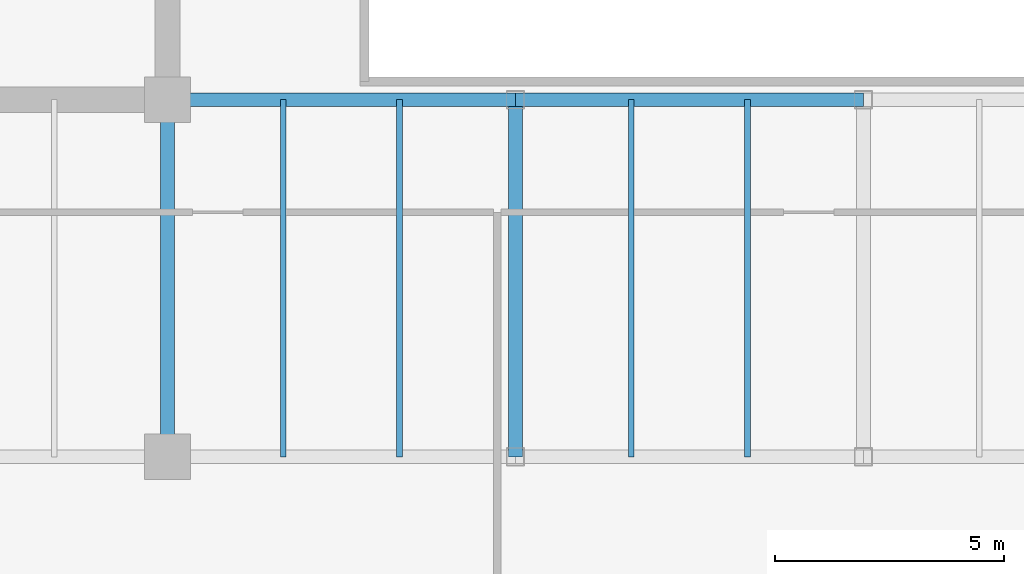
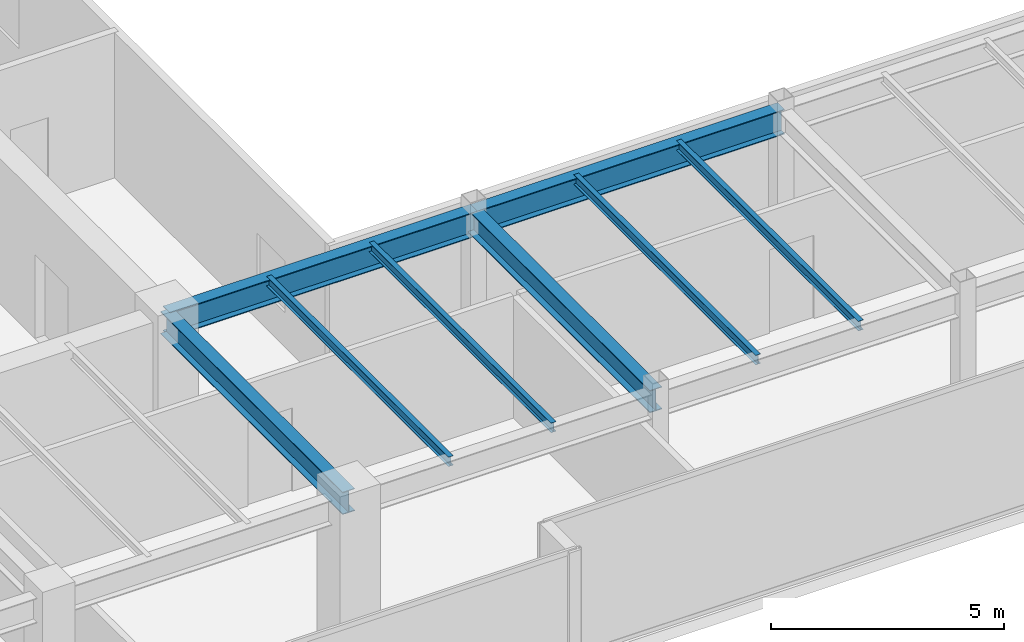
# One storey, part 8 of 33: 8 beams.
"""IFC4 building model written with IfcOpenShell, lengths in metres."""

from ifc_helpers import new_model, si_unit, direction, frame, origin, origin_2d, place, context, subcontext, project, spatial, i_section, extrude, source, transform, mapped, material, material_profile, profile_set, type_object, type_shapes, element, save


model = new_model("IFC4")

# Units and contexts
model_context = context("Model", 3, precision=1e-05, world=origin(), true_north=direction((0.0, 1.0)))
body_context = subcontext(model_context, "Body", "Model", "MODEL_VIEW")
ifc_project = project(units=[si_unit("LENGTHUNIT", "METRE"), si_unit("AREAUNIT", "SQUARE_METRE"), si_unit("VOLUMEUNIT", "CUBIC_METRE"), si_unit("PLANEANGLEUNIT", "RADIAN"), si_unit("MASSUNIT", "GRAM", prefix="KILO")], contexts=[model_context])

# Site, building, storey
site_placement = place(None, origin())
site = spatial("IfcSite", under=ifc_project, at=site_placement, CompositionType="ELEMENT")
building_placement = place(site_placement, origin())
building = spatial("IfcBuilding", under=site, at=building_placement, Name="Haelvirn Gate Laboratories", CompositionType="ELEMENT")
storey_placement = place(building_placement, frame((0.0, 0.0, 279.300048828125)))
storey = spatial("IfcBuildingStorey", under=building, at=storey_placement, Name="L67", CompositionType="ELEMENT", Elevation=279.300048828125)

# Beams
ifc_material = material(Name="Steel SM355", Category="steel")
ifc_material_profile_1 = material_profile(ifc_material, i_section(OverallWidth=0.300048828125, OverallDepth=0.587890625, WebThickness=0.011962890625, FlangeThickness=0.02001953125, at=origin_2d()), Name="H-588x300x12x20")
ifc_profile_set_1 = profile_set([ifc_material_profile_1], Name="Steel SM355")
beam_type_1 = type_object("IfcBeamType", Name="BM-G-588", PredefinedType="BEAM", material=ifc_profile_set_1)
shared_shape_1 = source(origin(), body_context, "Body", "SweptSolid", [
    extrude(i_section(OverallWidth=0.300048828125, OverallDepth=0.587890625, WebThickness=0.011962890625, FlangeThickness=0.02001953125, at=origin_2d()), origin(), (0.0, 0.0, 1.0), 7.800048828125),
])
type_shapes(beam_type_1, [shared_shape_1])
for number, where, z_axis, x_axis, name in (
    (1, (22.199951171875, 7.0, 3.505859375), (0.0, 1.0, 0.0), (-1.0, 0.0, 0.0), "L67 Frame Girder X22.2 (7.0-14.8)"),
    (2, (29.800048828125, 7.0, 3.505859375), (0.0, 1.0, 0.0), (-1.0, 0.0, 0.0), "L67 Frame Girder X29.8 (7.0-14.8)"),
):
    element("IfcBeam", number, at=place(storey_placement, frame(where, z_axis=z_axis, x_axis=x_axis)), inside=storey, type_object=beam_type_1, Name=name, PredefinedType="BEAM", context=body_context, shape_type="MappedRepresentation", body=[
        mapped(shared_shape_1, transform((0.0, 0.0, 0.0), scale=1.0)),
    ])
ifc_material_profile_2 = material_profile(ifc_material, i_section(OverallWidth=0.300048828125, OverallDepth=0.64990234375, WebThickness=0.012939453125, FlangeThickness=0.02197265625, at=origin_2d()), Name="H-650x300x13x22")
ifc_profile_set_2 = profile_set([ifc_material_profile_2], Name="Steel SM355")
beam_type_2 = type_object("IfcBeamType", Name="BM-G-650", PredefinedType="BEAM", material=ifc_profile_set_2)
shared_shape_2 = source(origin(), body_context, "Body", "SweptSolid", [
    extrude(i_section(OverallWidth=0.300048828125, OverallDepth=0.64990234375, WebThickness=0.012939453125, FlangeThickness=0.02197265625, at=origin_2d()), origin(), (0.0, 0.0, 1.0), 7.60009765625),
])
beam_1_placement = place(storey_placement, frame((22.199951171875, 14.800048828125, 3.474853515625), z_axis=(1.0, 0.0, 0.0), x_axis=(0.0, 1.0, 0.0)))
element("IfcBeam", 3, at=beam_1_placement, inside=storey, type_object=beam_type_2, Name="L67 Primary Girder Y14.8 (22.2-29.8)", PredefinedType="BEAM", context=body_context, shape_type="MappedRepresentation", body=[
    mapped(shared_shape_2, transform((0.0, 0.0, 0.0), scale=1.0)),
])
shared_shape_3 = source(origin(), body_context, "Body", "SweptSolid", [
    extrude(i_section(OverallWidth=0.300048828125, OverallDepth=0.64990234375, WebThickness=0.012939453125, FlangeThickness=0.02197265625, at=origin_2d()), origin(), (0.0, 0.0, 1.0), 7.599853515625),
])
type_shapes(beam_type_2, [shared_shape_2, shared_shape_3])
beam_2_placement = place(storey_placement, frame((29.800048828125, 14.800048828125, 3.474853515625), z_axis=(1.0, 0.0, 0.0), x_axis=(0.0, 1.0, 0.0)))
element("IfcBeam", 4, at=beam_2_placement, inside=storey, type_object=beam_type_2, Name="L67 Primary Girder Y14.8 (29.8-37.4)", PredefinedType="BEAM", context=body_context, shape_type="MappedRepresentation", body=[
    mapped(shared_shape_3, transform((0.0, 0.0, 0.0), scale=1.0)),
])
ifc_material_profile_3 = material_profile(ifc_material, i_section(OverallWidth=0.125, OverallDepth=0.25, WebThickness=0.006103515625, FlangeThickness=0.009033203125, at=origin_2d()), Name="H-250x125x6x9")
ifc_profile_set_3 = profile_set([ifc_material_profile_3], Name="Steel SM355")
beam_type_3 = type_object("IfcBeamType", Name="BM-J-250", PredefinedType="JOIST", material=ifc_profile_set_3)
shared_shape_4 = source(origin(), body_context, "Body", "SweptSolid", [
    extrude(i_section(OverallWidth=0.125, OverallDepth=0.25, WebThickness=0.006103515625, FlangeThickness=0.009033203125, at=origin_2d()), origin(), (0.0, 0.0, 1.0), 7.800048828125),
])
type_shapes(beam_type_3, [shared_shape_4])
for number, where, z_axis, x_axis, name in (
    (5, (24.72998046875, 7.0, 3.675048828125), (0.0, 1.0, 0.0), (-1.0, 0.0, 0.0), "L67 Composite Lab Joist South X24.73"),
    (6, (27.27001953125, 7.0, 3.675048828125), (0.0, 1.0, 0.0), (-1.0, 0.0, 0.0), "L67 Composite Lab Joist South X27.27"),
    (7, (32.330078125, 7.0, 3.675048828125), (0.0, 1.0, 0.0), (-1.0, 0.0, 0.0), "L67 Composite Lab Joist South X32.33"),
    (8, (34.8701171875, 7.0, 3.675048828125), (0.0, 1.0, 0.0), (-1.0, 0.0, 0.0), "L67 Composite Lab Joist South X34.87"),
):
    element("IfcBeam", number, at=place(storey_placement, frame(where, z_axis=z_axis, x_axis=x_axis)), inside=storey, type_object=beam_type_3, Name=name, PredefinedType="JOIST", context=body_context, shape_type="MappedRepresentation", body=[
        mapped(shared_shape_4, transform((0.0, 0.0, 0.0), scale=1.0)),
    ])

save(model, "model.ifc")
